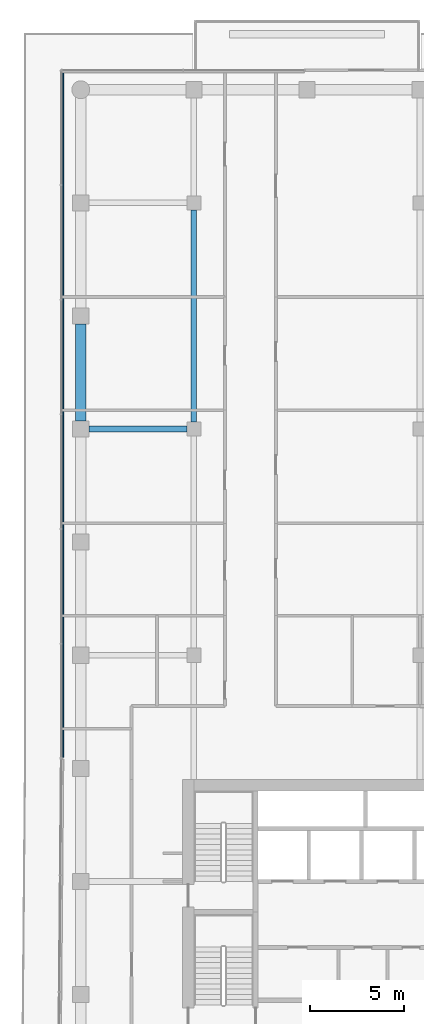
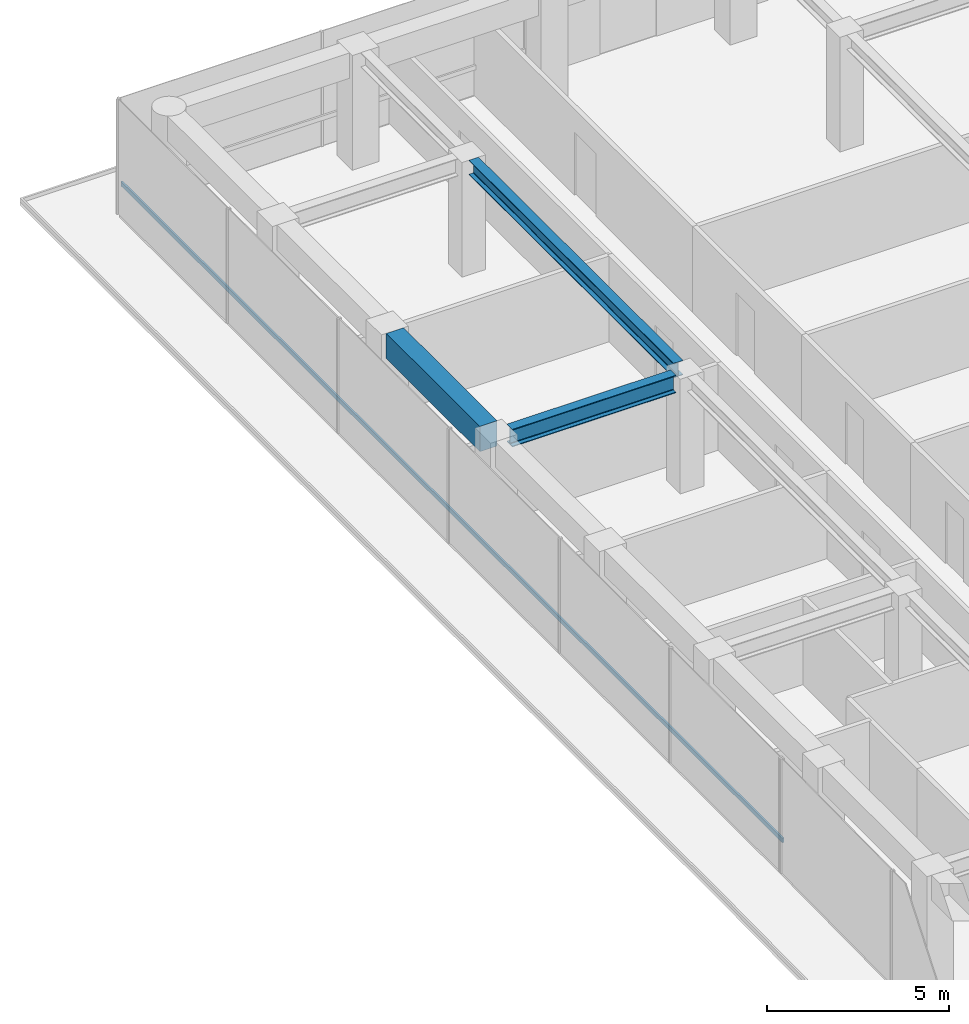
# One storey, part 10 of 19: 3 beams, 1 member, 1 element without a shape of its own.
"""IFC4 building model written with IfcOpenShell, lengths in metres."""

from ifc_helpers import new_model, si_unit, direction, frame, origin, origin_2d, place, context, subcontext, project, spatial, rectangle, i_section, extrude, material, layer, layer_set, material_profile, profile_set, type_object, element, aggregate, save


model = new_model("IFC4")

# Units and contexts
model_context = context("Model", 3, precision=1e-05, world=origin(), true_north=direction((0.0, 1.0)))
body_context = subcontext(model_context, "Body", "Model", "MODEL_VIEW")
ifc_project = project(units=[si_unit("LENGTHUNIT", "METRE"), si_unit("AREAUNIT", "SQUARE_METRE"), si_unit("VOLUMEUNIT", "CUBIC_METRE"), si_unit("PLANEANGLEUNIT", "RADIAN"), si_unit("MASSUNIT", "GRAM", prefix="KILO")], contexts=[model_context])

# Site, building, storey
site_placement = place(None, origin())
site = spatial("IfcSite", under=ifc_project, at=site_placement, CompositionType="ELEMENT")
building_placement = place(site_placement, origin())
building = spatial("IfcBuilding", under=site, at=building_placement, Name="Welwitschia Terrace Campus", CompositionType="ELEMENT")
storey_placement = place(building_placement, frame((0.0, 0.0, 167.60009765625)))
storey = spatial("IfcBuildingStorey", under=building, at=storey_placement, Name="L37", CompositionType="ELEMENT", Elevation=167.60009765625)

# Beams
ifc_material_1 = material(Name="Steel S355", Category="steel")
ifc_material_profile_1 = material_profile(ifc_material_1, i_section(OverallWidth=0.300048828125, OverallDepth=0.489990234375, WebThickness=0.011962890625, FlangeThickness=0.02294921875, FilletRadius=0.027099609375, at=origin_2d()))
ifc_profile_set_1 = profile_set([ifc_material_profile_1], Name="Steel S355")
beam_type_1 = type_object("IfcBeamType", Name="Interior girder HE 500 A", PredefinedType="BEAM", material=ifc_profile_set_1)
beam_1_placement = place(storey_placement, frame((6.0, 44.37548828125, 3.60498046875), z_axis=(0.0, 1.0, 0.0), x_axis=(-1.0, 0.0, 0.0)))
element("IfcBeam", 1, at=beam_1_placement, inside=storey, type_object=beam_type_1, Name="Girder GB4", PredefinedType="BEAM", context=body_context, shape_type="SweptSolid", body=[
    extrude(i_section(OverallWidth=0.300048828125, OverallDepth=0.489990234375, WebThickness=0.011962890625, FlangeThickness=0.02294921875, FilletRadius=0.027099609375, at=origin_2d()), origin(), (0.0, 0.0, 1.0), 11.2490234375),
])
ifc_material_2 = material(Name="Steel S355", Category="steel")
ifc_material_profile_2 = material_profile(ifc_material_2, i_section(OverallWidth=0.300048828125, OverallDepth=0.590087890625, WebThickness=0.012939453125, FlangeThickness=0.02490234375, FilletRadius=0.027099609375, at=origin_2d()))
ifc_profile_set_2 = profile_set([ifc_material_profile_2], Name="Steel S355")
beam_type_2 = type_object("IfcBeamType", Name="Primary beam HE 600 A", PredefinedType="BEAM", material=ifc_profile_set_2)
beam_2_placement = place(storey_placement, frame((0.425537109375, 44.0, 3.554931640625), z_axis=(1.0, 0.0, 0.0), x_axis=(0.0, 1.0, 0.0)))
element("IfcBeam", 2, at=beam_2_placement, inside=storey, type_object=beam_type_2, Name="Primary beam PB4", PredefinedType="BEAM", context=body_context, shape_type="SweptSolid", body=[
    extrude(i_section(OverallWidth=0.300048828125, OverallDepth=0.590087890625, WebThickness=0.012939453125, FlangeThickness=0.02490234375, FilletRadius=0.027099609375, at=origin_2d()), origin(), (0.0, 0.0, 1.0), 5.198974609375),
])
ifc_material_3 = material(Name="Concrete C50/60", Category="concrete")
ifc_material_profile_3 = material_profile(ifc_material_3, rectangle(XDim=0.550048828125, YDim=0.85009765625, at=origin_2d()))
ifc_profile_set_3 = profile_set([ifc_material_profile_3], Name="Concrete C50/60")
beam_type_3 = type_object("IfcBeamType", Name="Ring spandrel 550x850", PredefinedType="SPANDREL", material=ifc_profile_set_3)
beam_3_placement = place(storey_placement, frame((0.0, 49.574462890625, 3.4248046875), z_axis=(0.0, -1.0, 0.0), x_axis=(1.0, 0.0, 0.0)))
element("IfcBeam", 3, at=beam_3_placement, inside=storey, type_object=beam_type_3, Name="Spandrel SP3", PredefinedType="SPANDREL", context=body_context, shape_type="SweptSolid", body=[
    extrude(rectangle(XDim=0.550048828125, YDim=0.85009765625, at=origin_2d()), origin(), (0.0, 0.0, 1.0), 5.14892578125),
])

# Curtain wall, member
ifc_material_4 = material(Name="Bronze anodised aluminium", Category="aluminium")
ifc_layer = layer(ifc_material_4, 0.1201171875)
ifc_layer_set = layer_set([ifc_layer], Name="Bronze anodised aluminium")
curtain_wall_type = type_object("IfcCurtainWallType", Name="Curtain wall CW2 tower 6000", PredefinedType="NOTDEFINED", material=ifc_layer_set)
curtain_wall_placement = place(storey_placement, origin())
curtain_wall = element("IfcCurtainWall", 4, at=curtain_wall_placement, inside=storey, type_object=curtain_wall_type, Name="CW L37.1.0", PredefinedType="NOTDEFINED")
ifc_material_5 = material(Name="Bronze anodised aluminium", Category="aluminium")
ifc_material_profile_4 = material_profile(ifc_material_5, rectangle(XDim=0.06005859375, YDim=0.14990234375, at=origin_2d()))
ifc_profile_set_4 = profile_set([ifc_material_profile_4], Name="Bronze anodised aluminium")
member_type = type_object("IfcMemberType", Name="Transom 60x150", PredefinedType="USERDEFINED", material=ifc_profile_set_4)
member_placement = place(storey_placement, frame((-0.93994140625, 62.969970703125, 1.0), z_axis=(0.0, -1.0, 0.0), x_axis=(1.0, 0.0, 0.0)))
member = element("IfcMember", 5, at=member_placement, type_object=member_type, Name="Transom L37.1.0", ObjectType="TRANSOM", PredefinedType="USERDEFINED", context=body_context, shape_type="SweptSolid", body=[
    extrude(rectangle(XDim=0.06005859375, YDim=0.14990234375, at=origin_2d()), origin(), (0.0, 0.0, 1.0), 36.376708984375),
])
aggregate(curtain_wall, [member])

save(model, "model.ifc")
